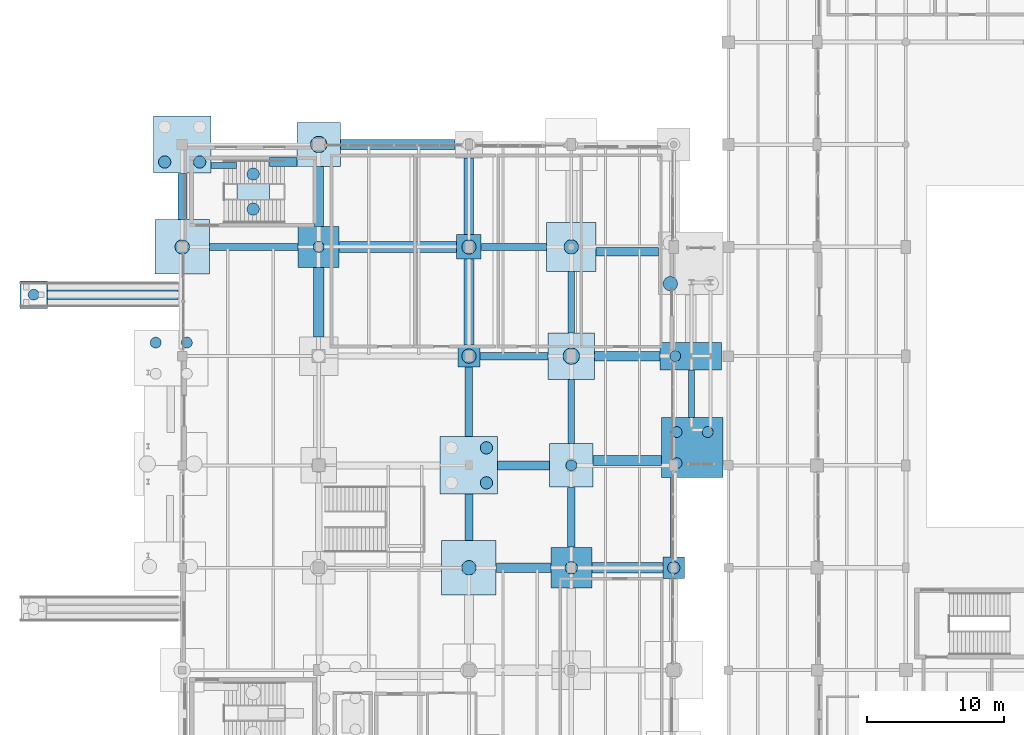
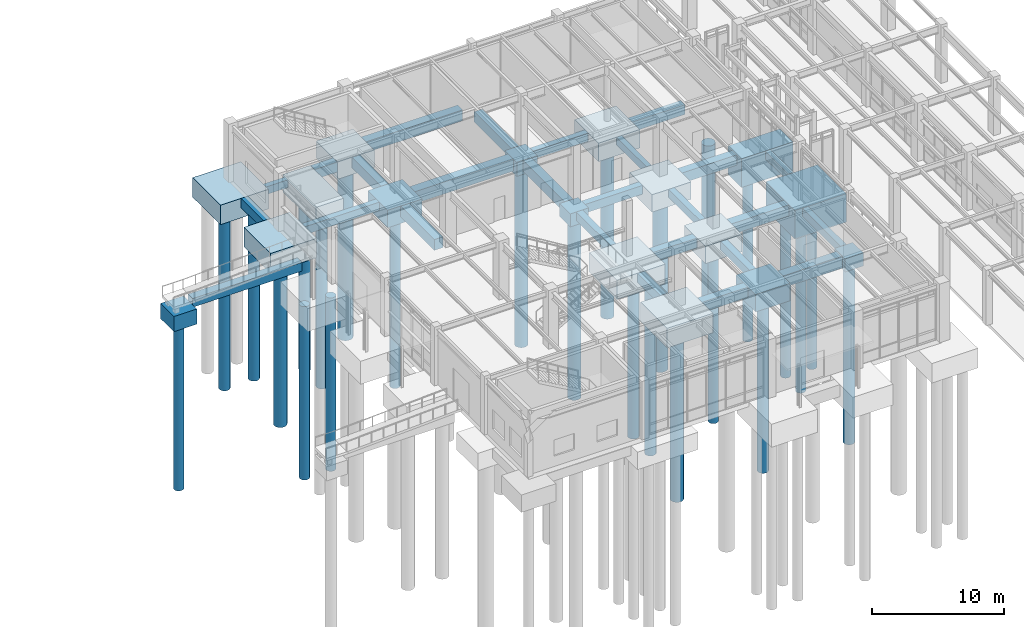
# One storey, part 2 of 203: 43 footings, 25 piles.
"""IFC4 building model written with IfcOpenShell, lengths in metres."""

from ifc_helpers import new_model, si_unit, direction, frame, origin, origin_2d, place, context, subcontext, project, spatial, polyline, circle, outline, extrude, material, material_profile, profile_set, type_object, element, save


model = new_model("IFC4")

# Units and contexts
model_context = context("Model", 3, precision=1e-05, world=origin(), true_north=direction((0.0, 1.0)))
body_context = subcontext(model_context, "Body", "Model", "MODEL_VIEW")
ifc_project = project(units=[si_unit("LENGTHUNIT", "METRE"), si_unit("AREAUNIT", "SQUARE_METRE"), si_unit("VOLUMEUNIT", "CUBIC_METRE"), si_unit("PLANEANGLEUNIT", "RADIAN"), si_unit("MASSUNIT", "GRAM", prefix="KILO"), si_unit("THERMODYNAMICTEMPERATUREUNIT", "KELVIN"), si_unit("POWERUNIT", "WATT")], contexts=[model_context])

# Site, building, storey
site_placement = place(None, origin())
site = spatial("IfcSite", under=ifc_project, at=site_placement, CompositionType="ELEMENT")
building_placement = place(site_placement, origin())
building = spatial("IfcBuilding", under=site, at=building_placement, Name="Tepalcoro Natatorium and Aquatics Centre", CompositionType="ELEMENT")
storey_placement = place(building_placement, origin())
storey = spatial("IfcBuildingStorey", under=building, at=storey_placement, Name="L00", CompositionType="ELEMENT", Elevation=0.0)

# Footings
ifc_material = material(Name="Concrete C40/50 (fc 40 MPa)", Category="concrete")
footing_type_1 = type_object("IfcFootingType", Name="FB_450x700", PredefinedType="FOOTING_BEAM", material=ifc_material)
footing_1_placement = place(storey_placement, frame((0.0, 0.0, -1.1201171875)))
element("IfcFooting", 1, at=footing_1_placement, inside=storey, type_object=footing_type_1, Name="V3 L00 Foundation Tie Beam X", PredefinedType="FOOTING_BEAM", context=body_context, shape_type="SweptSolid", body=[
    extrude(outline(polyline([(2.10498046875, 49.75), (3.9951171875, 49.75), (3.9951171875, 50.199951171875), (2.10498046875, 50.199951171875), (2.10498046875, 49.75)])), origin(), (0.0, 0.0, 1.0), 0.7001953125),
])
footing_2_placement = place(storey_placement, frame((0.0, 0.0, -1.1201171875)))
element("IfcFooting", 2, at=footing_2_placement, inside=storey, type_object=footing_type_1, Name="V3 L00 Foundation Tie Beam Y", PredefinedType="FOOTING_BEAM", context=body_context, shape_type="SweptSolid", body=[
    extrude(outline(polyline([(28.72509765625, 37.705078125), (28.72509765625, 42.195068359375), (28.27490234375, 42.195068359375), (28.27490234375, 37.705078125), (28.72509765625, 37.705078125)])), origin(), (0.0, 0.0, 1.0), 0.7001953125),
])
footing_3_placement = place(storey_placement, frame((0.0, 0.0, -1.1201171875)))
element("IfcFooting", 3, at=footing_3_placement, inside=storey, type_object=footing_type_1, Name="V3 L00 Foundation Tie Beam Y", PredefinedType="FOOTING_BEAM", context=body_context, shape_type="SweptSolid", body=[
    extrude(outline(polyline([(37.52490234375, 31.5048828125), (37.52490234375, 34.9951171875), (37.074951171875, 34.9951171875), (37.074951171875, 31.5048828125), (37.52490234375, 31.5048828125)])), origin(), (0.0, 0.0, 1.0), 0.7001953125),
])
footing_type_2 = type_object("IfcFootingType", Name="FB_500x750", PredefinedType="FOOTING_BEAM", material=ifc_material)
footing_4_placement = place(storey_placement, frame((0.0, 0.0, -1.169921875)))
element("IfcFooting", 4, at=footing_4_placement, inside=storey, type_object=footing_type_2, Name="V3 L00 Foundation Tie Beam X", PredefinedType="FOOTING_BEAM", context=body_context, shape_type="SweptSolid", body=[
    extrude(outline(polyline([(2.0048828125, 43.75), (8.4951171875, 43.75), (8.4951171875, 44.25), (2.0048828125, 44.25), (2.0048828125, 43.75)])), origin(), (0.0, 0.0, 1.0), 0.75),
])
footing_5_placement = place(storey_placement, frame((0.0, 0.0, -1.169921875)))
element("IfcFooting", 5, at=footing_5_placement, inside=storey, type_object=footing_type_2, Name="V3 L00 Foundation Tie Beam X", PredefinedType="FOOTING_BEAM", context=body_context, shape_type="SweptSolid", body=[
    extrude(outline(polyline([(21.905029296875, 43.75), (26.695068359375, 43.75), (26.695068359375, 44.25), (21.905029296875, 44.25), (21.905029296875, 43.75)])), origin(), (0.0, 0.0, 1.0), 0.75),
])
footing_6_placement = place(storey_placement, frame((0.0, 0.0, -1.169921875)))
element("IfcFooting", 6, at=footing_6_placement, inside=storey, type_object=footing_type_2, Name="V3 L00 Foundation Tie Beam Y", PredefinedType="FOOTING_BEAM", context=body_context, shape_type="SweptSolid", body=[
    extrude(outline(polyline([(28.75, 29.60498046875), (28.75, 34.294921875), (28.25, 34.294921875), (28.25, 29.60498046875), (28.75, 29.60498046875)])), origin(), (0.0, 0.0, 1.0), 0.75),
])
footing_7_placement = place(storey_placement, frame((0.0, 0.0, -1.169921875)))
element("IfcFooting", 7, at=footing_7_placement, inside=storey, type_object=footing_type_2, Name="V3 L00 Foundation Tie Beam Y", PredefinedType="FOOTING_BEAM", context=body_context, shape_type="SweptSolid", body=[
    extrude(outline(polyline([(36.25, 21.304931640625), (36.25, 27.094970703125), (35.75, 27.094970703125), (35.75, 21.304931640625), (36.25, 21.304931640625)])), origin(), (0.0, 0.0, 1.0), 0.75),
])
footing_type_3 = type_object("IfcFootingType", Name="FB_550x800", PredefinedType="FOOTING_BEAM", material=ifc_material)
footing_8_placement = place(storey_placement, frame((0.0, 0.0, -1.219970703125)))
element("IfcFooting", 8, at=footing_8_placement, inside=storey, type_object=footing_type_3, Name="V3 L00 Foundation Tie Beam X", PredefinedType="FOOTING_BEAM", context=body_context, shape_type="SweptSolid", body=[
    extrude(outline(polyline([(21.804931640625, 35.72509765625), (26.794921875, 35.72509765625), (26.794921875, 36.27490234375), (21.804931640625, 36.27490234375), (21.804931640625, 35.72509765625)])), origin(), (0.0, 0.0, 1.0), 0.800048828125),
])
footing_9_placement = place(storey_placement, frame((0.0, 0.0, -1.219970703125)))
element("IfcFooting", 9, at=footing_9_placement, inside=storey, type_object=footing_type_3, Name="V3 L00 Foundation Tie Beam Y", PredefinedType="FOOTING_BEAM", context=body_context, shape_type="SweptSolid", body=[
    extrude(outline(polyline([(21.27490234375, 30.10498046875), (21.27490234375, 35.195068359375), (20.72509765625, 35.195068359375), (20.72509765625, 30.10498046875), (21.27490234375, 30.10498046875)])), origin(), (0.0, 0.0, 1.0), 0.800048828125),
])
footing_10_placement = place(storey_placement, frame((0.0, 0.0, -1.219970703125)))
element("IfcFooting", 10, at=footing_10_placement, inside=storey, type_object=footing_type_3, Name="V3 L00 Foundation Tie Beam Y", PredefinedType="FOOTING_BEAM", context=body_context, shape_type="SweptSolid", body=[
    extrude(outline(polyline([(28.77490234375, 22.0048828125), (28.77490234375, 26.39501953125), (28.22509765625, 26.39501953125), (28.22509765625, 22.0048828125), (28.77490234375, 22.0048828125)])), origin(), (0.0, 0.0, 1.0), 0.800048828125),
])
footing_type_4 = type_object("IfcFootingType", Name="FB_600x850", PredefinedType="FOOTING_BEAM", material=ifc_material)
footing_11_placement = place(storey_placement, frame((0.0, 0.0, -1.27001953125)))
element("IfcFooting", 11, at=footing_11_placement, inside=storey, type_object=footing_type_4, Name="V3 L00 Foundation Tie Beam Y", PredefinedType="FOOTING_BEAM", context=body_context, shape_type="SweptSolid", body=[
    extrude(outline(polyline([(0.300048828125, 46.0048828125), (0.300048828125, 49.39501953125), (-0.300048828125, 49.39501953125), (-0.300048828125, 46.0048828125), (0.300048828125, 46.0048828125)])), origin(), (0.0, 0.0, 1.0), 0.85009765625),
])
footing_12_placement = place(storey_placement, frame((0.0, 0.0, -1.27001953125)))
element("IfcFooting", 12, at=footing_12_placement, inside=storey, type_object=footing_type_4, Name="V3 L00 Foundation Tie Beam Y", PredefinedType="FOOTING_BEAM", context=body_context, shape_type="SweptSolid", body=[
    extrude(outline(polyline([(21.300048828125, 22.5048828125), (21.300048828125, 25.89501953125), (20.699951171875, 25.89501953125), (20.699951171875, 22.5048828125), (21.300048828125, 22.5048828125)])), origin(), (0.0, 0.0, 1.0), 0.85009765625),
])
footing_type_5 = type_object("IfcFootingType", Name="FB_650x900", PredefinedType="FOOTING_BEAM", material=ifc_material)
footing_13_placement = place(storey_placement, frame((0.0, 0.0, -1.320068359375)))
element("IfcFooting", 13, at=footing_13_placement, inside=storey, type_object=footing_type_5, Name="V3 L00 Foundation Tie Beam X", PredefinedType="FOOTING_BEAM", context=body_context, shape_type="SweptSolid", body=[
    extrude(outline(polyline([(6.405029296875, 49.89990234375), (8.39501953125, 49.89990234375), (8.39501953125, 50.550048828125), (6.405029296875, 50.550048828125), (6.405029296875, 49.89990234375)])), origin(), (0.0, 0.0, 1.0), 0.900146484375),
])
footing_14_placement = place(storey_placement, frame((0.0, 0.0, -1.320068359375)))
element("IfcFooting", 14, at=footing_14_placement, inside=storey, type_object=footing_type_5, Name="V3 L00 Foundation Tie Beam X", PredefinedType="FOOTING_BEAM", context=body_context, shape_type="SweptSolid", body=[
    extrude(outline(polyline([(23.10498046875, 27.675048828125), (26.89501953125, 27.675048828125), (26.89501953125, 28.324951171875), (23.10498046875, 28.324951171875), (23.10498046875, 27.675048828125)])), origin(), (0.0, 0.0, 1.0), 0.900146484375),
])
footing_15_placement = place(storey_placement, frame((0.0, 0.0, -1.320068359375)))
element("IfcFooting", 15, at=footing_15_placement, inside=storey, type_object=footing_type_5, Name="V3 L00 Foundation Tie Beam X", PredefinedType="FOOTING_BEAM", context=body_context, shape_type="SweptSolid", body=[
    extrude(outline(polyline([(30.304931640625, 43.324951171875), (34.89501953125, 43.324951171875), (34.89501953125, 43.97509765625), (30.304931640625, 43.97509765625), (30.304931640625, 43.324951171875)])), origin(), (0.0, 0.0, 1.0), 0.900146484375),
])
footing_type_6 = type_object("IfcFootingType", Name="FB_700x950", PredefinedType="FOOTING_BEAM", material=ifc_material)
footing_16_placement = place(storey_placement, frame((0.0, 0.0, -1.3701171875)))
element("IfcFooting", 16, at=footing_16_placement, inside=storey, type_object=footing_type_6, Name="V3 L00 Foundation Tie Beam X", PredefinedType="FOOTING_BEAM", context=body_context, shape_type="SweptSolid", body=[
    extrude(outline(polyline([(23.0048828125, 20.14990234375), (26.9951171875, 20.14990234375), (26.9951171875, 20.85009765625), (23.0048828125, 20.85009765625), (23.0048828125, 20.14990234375)])), origin(), (0.0, 0.0, 1.0), 0.9501953125),
])
footing_17_placement = place(storey_placement, frame((0.0, 0.0, -1.3701171875)))
element("IfcFooting", 17, at=footing_17_placement, inside=storey, type_object=footing_type_6, Name="V3 L00 Foundation Tie Beam X", PredefinedType="FOOTING_BEAM", context=body_context, shape_type="SweptSolid", body=[
    extrude(outline(polyline([(30.205078125, 35.64990234375), (34.9951171875, 35.64990234375), (34.9951171875, 36.35009765625), (30.205078125, 36.35009765625), (30.205078125, 35.64990234375)])), origin(), (0.0, 0.0, 1.0), 0.9501953125),
])
footing_18_placement = place(storey_placement, frame((0.0, 0.0, -1.3701171875)))
element("IfcFooting", 18, at=footing_18_placement, inside=storey, type_object=footing_type_6, Name="V3 L00 Foundation Tie Beam Y", PredefinedType="FOOTING_BEAM", context=body_context, shape_type="SweptSolid", body=[
    extrude(outline(polyline([(10.35009765625, 45.5048828125), (10.35009765625, 49.89501953125), (9.64990234375, 49.89501953125), (9.64990234375, 45.5048828125), (10.35009765625, 45.5048828125)])), origin(), (0.0, 0.0, 1.0), 0.9501953125),
])
footing_19_placement = place(storey_placement, frame((0.0, 0.0, -1.3701171875)))
element("IfcFooting", 19, at=footing_19_placement, inside=storey, type_object=footing_type_6, Name="V3 L00 Foundation Tie Beam Y", PredefinedType="FOOTING_BEAM", context=body_context, shape_type="SweptSolid", body=[
    extrude(outline(polyline([(21.35009765625, 44.905029296875), (21.35009765625, 50.4951171875), (20.64990234375, 50.4951171875), (20.64990234375, 44.905029296875), (21.35009765625, 44.905029296875)])), origin(), (0.0, 0.0, 1.0), 0.9501953125),
])
footing_type_7 = type_object("IfcFootingType", Name="FB_750x1000", PredefinedType="FOOTING_BEAM", material=ifc_material)
footing_20_placement = place(storey_placement, frame((0.0, 0.0, -1.419921875)))
element("IfcFooting", 20, at=footing_20_placement, inside=storey, type_object=footing_type_7, Name="V3 L00 Foundation Tie Beam X", PredefinedType="FOOTING_BEAM", context=body_context, shape_type="SweptSolid", body=[
    extrude(outline(polyline([(11.60498046875, 51.125), (19.9951171875, 51.125), (19.9951171875, 51.875), (11.60498046875, 51.875), (11.60498046875, 51.125)])), origin(), (0.0, 0.0, 1.0), 1.0),
])
footing_21_placement = place(storey_placement, frame((0.0, 0.0, -1.419921875)))
element("IfcFooting", 21, at=footing_21_placement, inside=storey, type_object=footing_type_7, Name="V3 L00 Foundation Tie Beam X", PredefinedType="FOOTING_BEAM", context=body_context, shape_type="SweptSolid", body=[
    extrude(outline(polyline([(30.10498046875, 27.97509765625), (35.094970703125, 27.97509765625), (35.094970703125, 28.72509765625), (30.10498046875, 28.72509765625), (30.10498046875, 27.97509765625)])), origin(), (0.0, 0.0, 1.0), 1.0),
])
footing_22_placement = place(storey_placement, frame((0.0, 0.0, -1.419921875)))
element("IfcFooting", 22, at=footing_22_placement, inside=storey, type_object=footing_type_7, Name="V3 L00 Foundation Tie Beam Y", PredefinedType="FOOTING_BEAM", context=body_context, shape_type="SweptSolid", body=[
    extrude(outline(polyline([(10.375, 37.405029296875), (10.375, 42.4951171875), (9.625, 42.4951171875), (9.625, 37.405029296875), (10.375, 37.405029296875)])), origin(), (0.0, 0.0, 1.0), 1.0),
])
footing_23_placement = place(storey_placement, frame((0.0, 0.0, -1.419921875)))
element("IfcFooting", 23, at=footing_23_placement, inside=storey, type_object=footing_type_7, Name="V3 L00 Foundation Tie Beam Y", PredefinedType="FOOTING_BEAM", context=body_context, shape_type="SweptSolid", body=[
    extrude(outline(polyline([(21.375, 36.804931640625), (21.375, 43.094970703125), (20.625, 43.094970703125), (20.625, 36.804931640625), (21.375, 36.804931640625)])), origin(), (0.0, 0.0, 1.0), 1.0),
])
footing_type_8 = type_object("IfcFootingType", Name="FB_800x1100", PredefinedType="FOOTING_BEAM", material=ifc_material)
footing_24_placement = place(storey_placement, frame((0.0, 0.0, -1.52001953125)))
element("IfcFooting", 24, at=footing_24_placement, inside=storey, type_object=footing_type_8, Name="V3 L00 Foundation Tie Beam X", PredefinedType="FOOTING_BEAM", context=body_context, shape_type="SweptSolid", body=[
    extrude(outline(polyline([(11.5048828125, 43.60009765625), (20.094970703125, 43.60009765625), (20.094970703125, 44.39990234375), (11.5048828125, 44.39990234375), (11.5048828125, 43.60009765625)])), origin(), (0.0, 0.0, 1.0), 1.10009765625),
])
footing_25_placement = place(storey_placement, frame((0.0, 0.0, -1.52001953125)))
element("IfcFooting", 25, at=footing_25_placement, inside=storey, type_object=footing_type_8, Name="V3 L00 Foundation Tie Beam X", PredefinedType="FOOTING_BEAM", context=body_context, shape_type="SweptSolid", body=[
    extrude(outline(polyline([(30.0048828125, 20.10009765625), (35.195068359375, 20.10009765625), (35.195068359375, 20.89990234375), (30.0048828125, 20.89990234375), (30.0048828125, 20.10009765625)])), origin(), (0.0, 0.0, 1.0), 1.10009765625),
])
footing_type_9 = type_object("IfcFootingType", Name="PC_1600x1600x1200", PredefinedType="PILE_CAP", material=ifc_material)
footing_26_placement = place(storey_placement, frame((0.0, 0.0, -1.6201171875)))
element("IfcFooting", 26, at=footing_26_placement, inside=storey, type_object=footing_type_9, Name="V3 Reinforced Concrete Pile Cap 252", PredefinedType="PILE_CAP", context=body_context, shape_type="SweptSolid", body=[
    extrude(outline(polyline([(20.199951171875, 35.199951171875), (21.800048828125, 35.199951171875), (21.800048828125, 36.800048828125), (20.199951171875, 36.800048828125), (20.199951171875, 35.199951171875)])), origin(), (0.0, 0.0, 1.0), 1.2001953125),
])
footing_27_placement = place(storey_placement, frame((0.0, 0.0, -1.6201171875)))
element("IfcFooting", 27, at=footing_27_placement, inside=storey, type_object=footing_type_9, Name="V3 Reinforced Concrete Pile Cap 266", PredefinedType="PILE_CAP", context=body_context, shape_type="SweptSolid", body=[
    extrude(outline(polyline([(35.199951171875, 19.699951171875), (36.800048828125, 19.699951171875), (36.800048828125, 21.300048828125), (35.199951171875, 21.300048828125), (35.199951171875, 19.699951171875)])), origin(), (0.0, 0.0, 1.0), 1.2001953125),
])
footing_type_10 = type_object("IfcFootingType", Name="PC_1800x1800x1300", PredefinedType="PILE_CAP", material=ifc_material)
footing_28_placement = place(storey_placement, frame((0.0, 0.0, -1.719970703125)))
element("IfcFooting", 28, at=footing_28_placement, inside=storey, type_object=footing_type_10, Name="V3 Reinforced Concrete Pile Cap 251", PredefinedType="PILE_CAP", context=body_context, shape_type="SweptSolid", body=[
    extrude(outline(polyline([(20.10009765625, 43.10009765625), (21.89990234375, 43.10009765625), (21.89990234375, 44.89990234375), (20.10009765625, 44.89990234375), (20.10009765625, 43.10009765625)])), origin(), (0.0, 0.0, 1.0), 1.300048828125),
])
footing_29_placement = place(storey_placement, frame((0.0, 0.0, -3.050048828125)))
element("IfcFooting", 29, at=footing_29_placement, inside=storey, type_object=footing_type_10, Name="V3 Reinforced Concrete Pile Cap 265", PredefinedType="PILE_CAP", context=body_context, shape_type="SweptSolid", body=[
    extrude(outline(polyline([(35.10009765625, 27.10009765625), (39.60009765625, 27.10009765625), (39.60009765625, 31.5), (35.10009765625, 31.5), (35.10009765625, 27.10009765625)])), origin(), (0.0, 0.0, 1.0), 2.630126953125),
])
footing_type_11 = type_object("IfcFootingType", Name="PC_2000x2000x1400", PredefinedType="PILE_CAP", material=ifc_material)
footing_30_placement = place(storey_placement, frame((0.0, 0.0, -2.64990234375)))
element("IfcFooting", 30, at=footing_30_placement, inside=storey, type_object=footing_type_11, Name="V3 Reinforced Concrete Pile Cap 229", PredefinedType="PILE_CAP", context=body_context, shape_type="SweptSolid", body=[
    extrude(outline(polyline([(-11.8798828125, 39.5), (-9.8798828125, 39.5), (-9.8798828125, 41.5), (-11.8798828125, 41.5), (-11.8798828125, 39.5)])), origin(), (0.0, 0.0, 1.0), 1.39990234375),
])
footing_31_placement = place(storey_placement, frame((0.0, 0.0, -3.050048828125)))
element("IfcFooting", 31, at=footing_31_placement, inside=storey, type_object=footing_type_11, Name="V3 Reinforced Concrete Pile Cap 264", PredefinedType="PILE_CAP", context=body_context, shape_type="SweptSolid", body=[
    extrude(outline(polyline([(35.0, 35.0), (39.5, 35.0), (39.5, 37.0), (35.0, 37.0), (35.0, 35.0)])), origin(), (0.0, 0.0, 1.0), 2.630126953125),
])
footing_type_12 = type_object("IfcFootingType", Name="PC_2400x5000x1600", PredefinedType="PILE_CAP", material=ifc_material)
footing_32_placement = place(storey_placement, frame((0.0, 0.0, -2.02001953125)))
element("IfcFooting", 32, at=footing_32_placement, inside=storey, type_object=footing_type_12, Name="V3 Reinforced Concrete Pile Cap 238", PredefinedType="PILE_CAP", context=body_context, shape_type="SweptSolid", body=[
    extrude(outline(polyline([(4.0, 45.550048828125), (6.39990234375, 45.550048828125), (6.39990234375, 50.550048828125), (4.0, 50.550048828125), (4.0, 45.550048828125)])), origin(), (0.0, 0.0, 1.0), 1.60009765625),
])
footing_type_13 = type_object("IfcFootingType", Name="PC_3000x3000x1600", PredefinedType="PILE_CAP", material=ifc_material)
footing_33_placement = place(storey_placement, frame((0.0, 0.0, -2.02001953125)))
element("IfcFooting", 33, at=footing_33_placement, inside=storey, type_object=footing_type_13, Name="V3 Reinforced Concrete Pile Cap 241", PredefinedType="PILE_CAP", context=body_context, shape_type="SweptSolid", body=[
    extrude(outline(polyline([(8.5, 42.5), (11.5, 42.5), (11.5, 45.5), (8.5, 45.5), (8.5, 42.5)])), origin(), (0.0, 0.0, 1.0), 1.60009765625),
])
footing_34_placement = place(storey_placement, frame((0.0, 0.0, -2.02001953125)))
element("IfcFooting", 34, at=footing_34_placement, inside=storey, type_object=footing_type_13, Name="V3 Reinforced Concrete Pile Cap 258", PredefinedType="PILE_CAP", context=body_context, shape_type="SweptSolid", body=[
    extrude(outline(polyline([(27.0, 19.0), (30.0, 19.0), (30.0, 22.0), (27.0, 22.0), (27.0, 19.0)])), origin(), (0.0, 0.0, 1.0), 1.60009765625),
])
footing_type_14 = type_object("IfcFootingType", Name="PC_3200x3200x1600", PredefinedType="PILE_CAP", material=ifc_material)
footing_35_placement = place(storey_placement, frame((0.0, 0.0, -2.02001953125)))
element("IfcFooting", 35, at=footing_35_placement, inside=storey, type_object=footing_type_14, Name="V3 Reinforced Concrete Pile Cap 240", PredefinedType="PILE_CAP", context=body_context, shape_type="SweptSolid", body=[
    extrude(outline(polyline([(8.39990234375, 49.89990234375), (11.60009765625, 49.89990234375), (11.60009765625, 53.10009765625), (8.39990234375, 53.10009765625), (8.39990234375, 49.89990234375)])), origin(), (0.0, 0.0, 1.0), 1.60009765625),
])
footing_36_placement = place(storey_placement, frame((0.0, 0.0, -2.02001953125)))
element("IfcFooting", 36, at=footing_36_placement, inside=storey, type_object=footing_type_14, Name="V3 Reinforced Concrete Pile Cap 257", PredefinedType="PILE_CAP", context=body_context, shape_type="SweptSolid", body=[
    extrude(outline(polyline([(26.89990234375, 26.39990234375), (30.10009765625, 26.39990234375), (30.10009765625, 29.60009765625), (26.89990234375, 29.60009765625), (26.89990234375, 26.39990234375)])), origin(), (0.0, 0.0, 1.0), 1.60009765625),
])
footing_type_15 = type_object("IfcFootingType", Name="PC_3400x3400x1600", PredefinedType="PILE_CAP", material=ifc_material)
footing_37_placement = place(storey_placement, frame((0.0, 0.0, -2.02001953125)))
element("IfcFooting", 37, at=footing_37_placement, inside=storey, type_object=footing_type_15, Name="V3 Reinforced Concrete Pile Cap 256", PredefinedType="PILE_CAP", context=body_context, shape_type="SweptSolid", body=[
    extrude(outline(polyline([(26.800048828125, 34.300048828125), (30.199951171875, 34.300048828125), (30.199951171875, 37.699951171875), (26.800048828125, 37.699951171875), (26.800048828125, 34.300048828125)])), origin(), (0.0, 0.0, 1.0), 1.60009765625),
])
footing_type_16 = type_object("IfcFootingType", Name="PC_3600x3600x1700", PredefinedType="PILE_CAP", material=ifc_material)
footing_38_placement = place(storey_placement, frame((0.0, 0.0, -2.1201171875)))
element("IfcFooting", 38, at=footing_38_placement, inside=storey, type_object=footing_type_16, Name="V3 Reinforced Concrete Pile Cap 255", PredefinedType="PILE_CAP", context=body_context, shape_type="SweptSolid", body=[
    extrude(outline(polyline([(26.699951171875, 42.199951171875), (30.300048828125, 42.199951171875), (30.300048828125, 45.800048828125), (26.699951171875, 45.800048828125), (26.699951171875, 42.199951171875)])), origin(), (0.0, 0.0, 1.0), 1.7001953125),
])
footing_type_17 = type_object("IfcFootingType", Name="PC_4000x4000x1800", PredefinedType="PILE_CAP", material=ifc_material)
footing_39_placement = place(storey_placement, frame((0.0, 0.0, -2.219970703125)))
element("IfcFooting", 39, at=footing_39_placement, inside=storey, type_object=footing_type_17, Name="V3 Reinforced Concrete Pile Cap 235", PredefinedType="PILE_CAP", context=body_context, shape_type="SweptSolid", body=[
    extrude(outline(polyline([(-2.0, 42.0), (2.0, 42.0), (2.0, 46.0), (-2.0, 46.0), (-2.0, 42.0)])), origin(), (0.0, 0.0, 1.0), 1.800048828125),
])
footing_40_placement = place(storey_placement, frame((0.0, 0.0, -2.219970703125)))
element("IfcFooting", 40, at=footing_40_placement, inside=storey, type_object=footing_type_17, Name="V3 Reinforced Concrete Pile Cap 247", PredefinedType="PILE_CAP", context=body_context, shape_type="SweptSolid", body=[
    extrude(outline(polyline([(19.0, 18.5), (23.0, 18.5), (23.0, 22.5), (19.0, 22.5), (19.0, 18.5)])), origin(), (0.0, 0.0, 1.0), 1.800048828125),
])
footing_type_18 = type_object("IfcFootingType", Name="PC_4200x4200x1800", PredefinedType="PILE_CAP", material=ifc_material)
footing_41_placement = place(storey_placement, frame((0.0, 0.0, -2.219970703125)))
element("IfcFooting", 41, at=footing_41_placement, inside=storey, type_object=footing_type_18, Name="V3 Reinforced Concrete Pile Cap 234", PredefinedType="PILE_CAP", context=body_context, shape_type="SweptSolid", body=[
    extrude(outline(polyline([(-2.10009765625, 49.39990234375), (2.10009765625, 49.39990234375), (2.10009765625, 53.60009765625), (-2.10009765625, 53.60009765625), (-2.10009765625, 49.39990234375)])), origin(), (0.0, 0.0, 1.0), 1.800048828125),
])
footing_42_placement = place(storey_placement, frame((0.0, 0.0, -2.219970703125)))
element("IfcFooting", 42, at=footing_42_placement, inside=storey, type_object=footing_type_18, Name="V3 Reinforced Concrete Pile Cap 246", PredefinedType="PILE_CAP", context=body_context, shape_type="SweptSolid", body=[
    extrude(outline(polyline([(18.89990234375, 25.89990234375), (23.10009765625, 25.89990234375), (23.10009765625, 30.10009765625), (18.89990234375, 30.10009765625), (18.89990234375, 25.89990234375)])), origin(), (0.0, 0.0, 1.0), 1.800048828125),
])

# Piles
ifc_material_profile_1 = material_profile(ifc_material, circle(Radius=0.52490234375, at=origin_2d()), Name="PILE_D1050")
ifc_profile_set_1 = profile_set([ifc_material_profile_1], Name="Concrete C40/50 (fc 40 MPa)")
pile_type_1 = type_object("IfcPileType", Name="PILE_D1050", PredefinedType="BORED", material=ifc_profile_set_1)
for number, where, z_axis, x_axis, name in (
    (43, (0.0, 44.0, -2.1201171875), (0.0, 0.0, -1.0), (1.0, 0.0, 0.0), "Bored Pile PILE_D1050 under PC_V3_0234"),
    (44, (21.0, 20.5, -2.1201171875), (0.0, 0.0, -1.0), (1.0, 0.0, 0.0), "Bored Pile PILE_D1050 under PC_V3_0246"),
):
    element("IfcPile", number, at=place(storey_placement, frame(where, z_axis=z_axis, x_axis=x_axis)), inside=storey, type_object=pile_type_1, Name=name, PredefinedType="BORED", context=body_context, shape_type="SweptSolid", body=[
        extrude(circle(Radius=0.52490234375, at=origin_2d()), origin(), (0.0, 0.0, 1.0), 15.8798828125),
    ])
pile_1_placement = place(storey_placement, frame((21.0, 44.0, -1.6201171875), z_axis=(0.0, 0.0, -1.0), x_axis=(1.0, 0.0, 0.0)))
element("IfcPile", 45, at=pile_1_placement, inside=storey, type_object=pile_type_1, Name="Bored Pile PILE_D1050 under PC_V3_0250", PredefinedType="BORED", context=body_context, shape_type="SweptSolid", body=[
    extrude(circle(Radius=0.52490234375, at=origin_2d()), origin(), (0.0, 0.0, 1.0), 16.3798828125),
])
pile_2_placement = place(storey_placement, frame((21.0, 36.0, -1.52001953125), z_axis=(0.0, 0.0, -1.0), x_axis=(1.0, 0.0, 0.0)))
element("IfcPile", 46, at=pile_2_placement, inside=storey, type_object=pile_type_1, Name="Bored Pile PILE_D1050 under PC_V3_0251", PredefinedType="BORED", context=body_context, shape_type="SweptSolid", body=[
    extrude(circle(Radius=0.52490234375, at=origin_2d()), origin(), (0.0, 0.0, 1.0), 16.47998046875),
])
pile_3_placement = place(storey_placement, frame((28.5, 44.0, -2.02001953125), z_axis=(0.0, 0.0, -1.0), x_axis=(1.0, 0.0, 0.0)))
element("IfcPile", 47, at=pile_3_placement, inside=storey, type_object=pile_type_1, Name="Bored Pile PILE_D1050 under PC_V3_0254", PredefinedType="BORED", context=body_context, shape_type="SweptSolid", body=[
    extrude(circle(Radius=0.52490234375, at=origin_2d()), origin(), (0.0, 0.0, 1.0), 15.97998046875),
])
pile_4_placement = place(storey_placement, frame((35.753662109375, 41.3037109375, -2.949951171875), z_axis=(0.0, 0.0, -1.0), x_axis=(1.0, 0.0, 0.0)))
element("IfcPile", 48, at=pile_4_placement, inside=storey, type_object=pile_type_1, Name="Bored Pile PILE_D1050 under PC_V3_0262", PredefinedType="BORED", context=body_context, shape_type="SweptSolid", body=[
    extrude(circle(Radius=0.52490234375, at=origin_2d()), origin(), (0.0, 0.0, 1.0), 15.050048828125),
])
ifc_material_profile_2 = material_profile(ifc_material, circle(Radius=0.60009765625, at=origin_2d()), Name="PILE_D1200")
ifc_profile_set_2 = profile_set([ifc_material_profile_2], Name="Concrete C40/50 (fc 40 MPa)")
pile_type_2 = type_object("IfcPileType", Name="PILE_D1200", PredefinedType="BORED", material=ifc_profile_set_2)
for number, where, z_axis, x_axis, name in (
    (49, (10.0, 51.5, -1.919921875), (0.0, 0.0, -1.0), (1.0, 0.0, 0.0), "Bored Pile PILE_D1200 under PC_V3_0239"),
    (50, (28.5, 36.0, -1.919921875), (0.0, 0.0, -1.0), (1.0, 0.0, 0.0), "Bored Pile PILE_D1200 under PC_V3_0255"),
):
    element("IfcPile", number, at=place(storey_placement, frame(where, z_axis=z_axis, x_axis=x_axis)), inside=storey, type_object=pile_type_2, Name=name, PredefinedType="BORED", context=body_context, shape_type="SweptSolid", body=[
        extrude(circle(Radius=0.60009765625, at=origin_2d()), origin(), (0.0, 0.0, 1.0), 16.080078125),
    ])
ifc_material_profile_3 = material_profile(ifc_material, circle(Radius=0.39990234375, at=origin_2d()), Name="PILE_D800")
ifc_profile_set_3 = profile_set([ifc_material_profile_3], Name="Concrete C40/50 (fc 40 MPa)")
pile_type_3 = type_object("IfcPileType", Name="PILE_D800", PredefinedType="BORED", material=ifc_profile_set_3)
pile_5_placement = place(storey_placement, frame((-10.8798828125, 40.5, -2.550048828125), z_axis=(0.0, 0.0, -1.0), x_axis=(1.0, 0.0, 0.0)))
element("IfcPile", 51, at=pile_5_placement, inside=storey, type_object=pile_type_3, Name="Bored Pile PILE_D800 under PC_V3_0228", PredefinedType="BORED", context=body_context, shape_type="SweptSolid", body=[
    extrude(circle(Radius=0.39990234375, at=origin_2d()), origin(), (0.0, 0.0, 1.0), 15.449951171875),
])
for number, where, z_axis, x_axis, name in (
    (52, (-1.93994140625, 36.989990234375, -2.02001953125), (0.0, 0.0, -1.0), (1.0, 0.0, 0.0), "Bored Pile PILE_D800 under PC_V3_0232"),
    (53, (0.340087890625, 36.989990234375, -2.02001953125), (0.0, 0.0, -1.0), (1.0, 0.0, 0.0), "Bored Pile PILE_D800 under PC_V3_0232"),
):
    element("IfcPile", number, at=place(storey_placement, frame(where, z_axis=z_axis, x_axis=x_axis)), inside=storey, type_object=pile_type_3, Name=name, PredefinedType="BORED", context=body_context, shape_type="SweptSolid", body=[
        extrude(circle(Radius=0.39990234375, at=origin_2d()), origin(), (0.0, 0.0, 1.0), 15.97998046875),
    ])
for number, where, z_axis, x_axis, name in (
    (54, (10.0, 44.0, -1.919921875), (0.0, 0.0, -1.0), (1.0, 0.0, 0.0), "Bored Pile PILE_D800 under PC_V3_0240"),
    (55, (28.5, 28.0, -1.919921875), (0.0, 0.0, -1.0), (1.0, 0.0, 0.0), "Bored Pile PILE_D800 under PC_V3_0256"),
):
    element("IfcPile", number, at=place(storey_placement, frame(where, z_axis=z_axis, x_axis=x_axis)), inside=storey, type_object=pile_type_3, Name=name, PredefinedType="BORED", context=body_context, shape_type="SweptSolid", body=[
        extrude(circle(Radius=0.39990234375, at=origin_2d()), origin(), (0.0, 0.0, 1.0), 16.080078125),
    ])
for number, where, z_axis, x_axis, name in (
    (56, (36.110107421875, 36.0, -2.949951171875), (0.0, 0.0, -1.0), (1.0, 0.0, 0.0), "Bored Pile PILE_D800 under PC_V3_0263"),
    (57, (36.2099609375, 28.159912109375, -2.949951171875), (0.0, 0.0, -1.0), (1.0, 0.0, 0.0), "Bored Pile PILE_D800 under PC_V3_0264"),
    (58, (36.2099609375, 30.43994140625, -2.949951171875), (0.0, 0.0, -1.0), (1.0, 0.0, 0.0), "Bored Pile PILE_D800 under PC_V3_0264"),
    (59, (38.489990234375, 30.43994140625, -2.949951171875), (0.0, 0.0, -1.0), (1.0, 0.0, 0.0), "Bored Pile PILE_D800 under PC_V3_0264"),
):
    element("IfcPile", number, at=place(storey_placement, frame(where, z_axis=z_axis, x_axis=x_axis)), inside=storey, type_object=pile_type_3, Name=name, PredefinedType="BORED", context=body_context, shape_type="SweptSolid", body=[
        extrude(circle(Radius=0.39990234375, at=origin_2d()), origin(), (0.0, 0.0, 1.0), 15.050048828125),
    ])
ifc_material_profile_4 = material_profile(ifc_material, circle(Radius=0.449951171875, at=origin_2d()), Name="PILE_D900")
ifc_profile_set_4 = profile_set([ifc_material_profile_4], Name="Concrete C40/50 (fc 40 MPa)")
pile_type_4 = type_object("IfcPileType", Name="PILE_D900", PredefinedType="BORED", material=ifc_profile_set_4)
for number, where, z_axis, x_axis, name in (
    (60, (-1.282470703125, 50.217529296875, -2.1201171875), (0.0, 0.0, -1.0), (1.0, 0.0, 0.0), "Bored Pile PILE_D900 under PC_V3_0233"),
    (61, (1.282470703125, 50.217529296875, -2.1201171875), (0.0, 0.0, -1.0), (1.0, 0.0, 0.0), "Bored Pile PILE_D900 under PC_V3_0233"),
):
    element("IfcPile", number, at=place(storey_placement, frame(where, z_axis=z_axis, x_axis=x_axis)), inside=storey, type_object=pile_type_4, Name=name, PredefinedType="BORED", context=body_context, shape_type="SweptSolid", body=[
        extrude(circle(Radius=0.449951171875, at=origin_2d()), origin(), (0.0, 0.0, 1.0), 15.8798828125),
    ])
for number, where, z_axis, x_axis, name in (
    (62, (5.199951171875, 46.767578125, -1.919921875), (0.0, 0.0, -1.0), (1.0, 0.0, 0.0), "Bored Pile PILE_D900 under PC_V3_0237"),
    (63, (5.199951171875, 49.33251953125, -1.919921875), (0.0, 0.0, -1.0), (1.0, 0.0, 0.0), "Bored Pile PILE_D900 under PC_V3_0237"),
):
    element("IfcPile", number, at=place(storey_placement, frame(where, z_axis=z_axis, x_axis=x_axis)), inside=storey, type_object=pile_type_4, Name=name, PredefinedType="BORED", context=body_context, shape_type="SweptSolid", body=[
        extrude(circle(Radius=0.449951171875, at=origin_2d()), origin(), (0.0, 0.0, 1.0), 16.080078125),
    ])
for number, where, z_axis, x_axis, name in (
    (64, (22.282470703125, 26.717529296875, -2.1201171875), (0.0, 0.0, -1.0), (1.0, 0.0, 0.0), "Bored Pile PILE_D900 under PC_V3_0245"),
    (65, (22.282470703125, 29.282470703125, -2.1201171875), (0.0, 0.0, -1.0), (1.0, 0.0, 0.0), "Bored Pile PILE_D900 under PC_V3_0245"),
):
    element("IfcPile", number, at=place(storey_placement, frame(where, z_axis=z_axis, x_axis=x_axis)), inside=storey, type_object=pile_type_4, Name=name, PredefinedType="BORED", context=body_context, shape_type="SweptSolid", body=[
        extrude(circle(Radius=0.449951171875, at=origin_2d()), origin(), (0.0, 0.0, 1.0), 15.8798828125),
    ])
pile_6_placement = place(storey_placement, frame((28.5, 20.5, -1.919921875), z_axis=(0.0, 0.0, -1.0), x_axis=(1.0, 0.0, 0.0)))
element("IfcPile", 66, at=pile_6_placement, inside=storey, type_object=pile_type_4, Name="Bored Pile PILE_D900 under PC_V3_0257", PredefinedType="BORED", context=body_context, shape_type="SweptSolid", body=[
    extrude(circle(Radius=0.449951171875, at=origin_2d()), origin(), (0.0, 0.0, 1.0), 16.080078125),
])
pile_7_placement = place(storey_placement, frame((36.0, 20.5, -1.52001953125), z_axis=(0.0, 0.0, -1.0), x_axis=(1.0, 0.0, 0.0)))
element("IfcPile", 67, at=pile_7_placement, inside=storey, type_object=pile_type_4, Name="Bored Pile PILE_D900 under PC_V3_0265", PredefinedType="BORED", context=body_context, shape_type="SweptSolid", body=[
    extrude(circle(Radius=0.449951171875, at=origin_2d()), origin(), (0.0, 0.0, 1.0), 16.47998046875),
])

# Footing
footing_type_19 = type_object("IfcFootingType", Name="SF_700x800", PredefinedType="STRIP_FOOTING", material=ifc_material)
footing_43_placement = place(storey_placement, frame((0.0, 0.0, -1.5)))
element("IfcFooting", 68, at=footing_43_placement, inside=storey, type_object=footing_type_19, Name="RMP02 Ramp Foundation Strip Footing", PredefinedType="STRIP_FOOTING", context=body_context, shape_type="SweptSolid", body=[
    extrude(outline(polyline([(-0.31005859375, 40.85009765625), (-0.31005859375, 40.14990234375), (-9.864990234375, 40.14990234375), (-9.864990234375, 40.85009765625), (-0.31005859375, 40.85009765625)])), origin(), (0.0, 0.0, 1.0), 0.800048828125),
])

save(model, "model.ifc")
